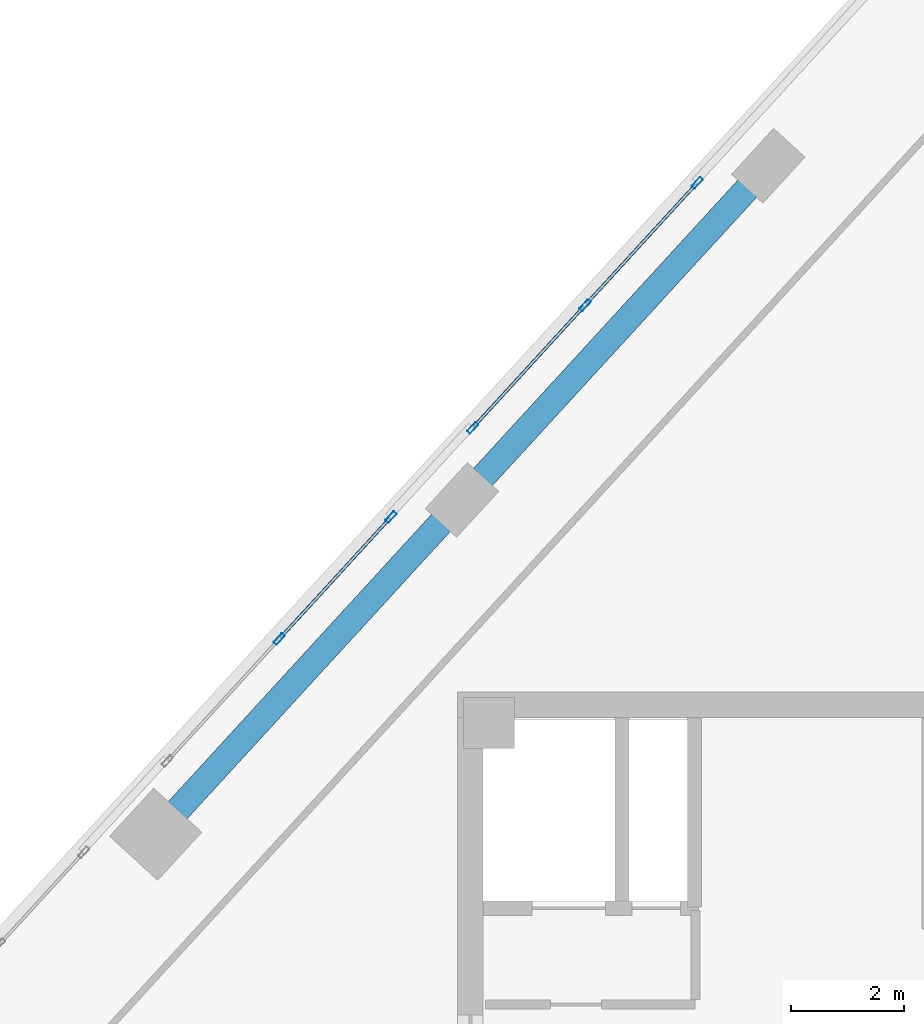
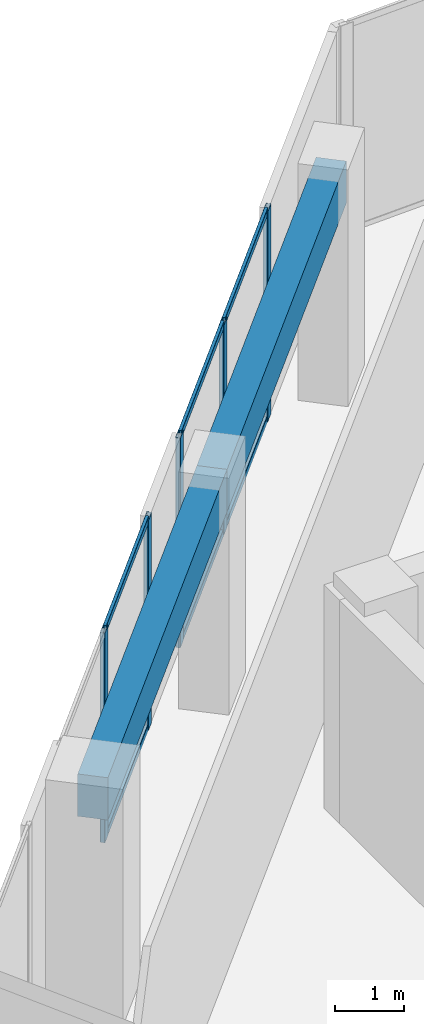
# One storey, part 10 of 18: 11 members, 2 beams, 2 elements without a shape of their own.
"""IFC4 building model written with IfcOpenShell, lengths in metres."""

from ifc_helpers import new_model, si_unit, direction, frame, origin, origin_2d, place, context, subcontext, project, spatial, rectangle, hollow_rectangle, extrude, source, transform, mapped, material, material_profile, profile_set, type_object, element, aggregate, save


model = new_model("IFC4")

# Units and contexts
model_context = context("Model", 3, precision=1e-05, world=origin(), true_north=direction((0.0, 1.0)))
body_context = subcontext(model_context, "Body", "Model", "MODEL_VIEW")
ifc_project = project(units=[si_unit("LENGTHUNIT", "METRE"), si_unit("AREAUNIT", "SQUARE_METRE"), si_unit("VOLUMEUNIT", "CUBIC_METRE"), si_unit("PLANEANGLEUNIT", "RADIAN"), si_unit("MASSUNIT", "GRAM", prefix="KILO")], contexts=[model_context])

# Site, building, storey
site_placement = place(None, origin())
site = spatial("IfcSite", under=ifc_project, at=site_placement, CompositionType="ELEMENT")
building_placement = place(site_placement, origin())
building = spatial("IfcBuilding", under=site, at=building_placement, Name="Torre Montelarca", CompositionType="ELEMENT")
storey_placement = place(building_placement, frame((0.0, 0.0, 233.199951171875)))
storey = spatial("IfcBuildingStorey", under=building, at=storey_placement, Name="L52", CompositionType="ELEMENT", Elevation=233.199951171875)

# Beams
ifc_material_1 = material(Name="Concrete C55/67", Category="concrete")
ifc_material_profile_1 = material_profile(ifc_material_1, rectangle(XDim=0.449951171875, YDim=0.75, at=origin_2d()), Name="RCB450X750", Category="concrete")
ifc_profile_set_1 = profile_set([ifc_material_profile_1], Name="Concrete C55/67")
beam_type = type_object("IfcBeamType", Name="BM-SP-RC750-EXT", PredefinedType="SPANDREL", material=ifc_profile_set_1)
shared_shape_1 = source(origin(), body_context, "Body", "SweptSolid", [
    extrude(rectangle(XDim=0.449951171875, YDim=0.75, at=origin_2d()), origin(), (0.0, 0.0, 1.0), 8.0),
])
for number, where, z_axis, x_axis, name in (
    (1, (3.672119140625, 37.485595703125, 3.5849609375), (0.675596099327, 0.737271938008, 0.0), (-0.737271938008, 0.675596099327, 0.0), "L52 Grid Girder Y 24.0-32.0 at X=4.7"),
    (2, (9.076904296875, 43.3837890625, 3.5849609375), (0.675596099327, 0.737271938008, 0.0), (-0.737271938008, 0.675596099327, 0.0), "L52 Grid Girder Y 32.0-40.0 at X=4.7"),
):
    element("IfcBeam", number, at=place(storey_placement, frame(where, z_axis=z_axis, x_axis=x_axis)), inside=storey, type_object=beam_type, Name=name, PredefinedType="SPANDREL", context=body_context, shape_type="MappedRepresentation", body=[
        mapped(shared_shape_1, transform((0.0, 0.0, 0.0), scale=1.0)),
    ])

# Curtain wall, members
ifc_material_2 = material(Name="Insulated low-E laminated glass", Category="glass")
curtain_wall_type = type_object("IfcCurtainWallType", Name="CW-SYS-Z3", PredefinedType="USERDEFINED", material=ifc_material_2)
curtain_wall_1_placement = place(storey_placement, origin())
curtain_wall_1 = element("IfcCurtainWall", 3, at=curtain_wall_1_placement, inside=storey, type_object=curtain_wall_type, Name="L52 Curtain Wall Run CW-T3-L52-E10-B1", ObjectType="UNITISED GLAZING", PredefinedType="USERDEFINED")
ifc_material_3 = material(Name="Anodised aluminium AA 6063-T6", Category="aluminium")
ifc_material_profile_2 = material_profile(ifc_material_3, hollow_rectangle(XDim=0.074951171875, YDim=0.219970703125, WallThickness=0.0048828125, InnerFilletRadius=0.0048828125, OuterFilletRadius=0.010009765625, at=origin_2d()), Name="ALU75X220X5", Category="aluminium")
ifc_profile_set_2 = profile_set([ifc_material_profile_2], Name="Anodised aluminium AA 6063-T6")
member_type_1 = type_object("IfcMemberType", Name="CWM-ALU220", PredefinedType="MULLION", material=ifc_profile_set_2)
shared_shape_2 = source(origin(), body_context, "Body", "SweptSolid", [
    extrude(hollow_rectangle(XDim=0.074951171875, YDim=0.219970703125, WallThickness=0.0048828125, InnerFilletRadius=0.0048828125, OuterFilletRadius=0.010009765625, at=origin_2d()), origin(), (0.0, 0.0, 1.0), 3.719970703125),
])
member_1_placement = place(storey_placement, frame((13.2294921875, 48.981201171875, 0.0), z_axis=(0.0, 0.0, 1.0), x_axis=(0.737275722052, -0.675591969811, 0.0)))
member_1 = element("IfcMember", 4, at=member_1_placement, type_object=member_type_1, Name="CW mullion 1", PredefinedType="MULLION", context=body_context, shape_type="MappedRepresentation", body=[
    mapped(shared_shape_2, transform((0.0, 0.0, 0.0), scale=1.0)),
])
member_2_placement = place(storey_placement, frame((11.248291015625, 46.819091796875, 0.0), z_axis=(0.0, 0.0, 1.0), x_axis=(0.737275722052, -0.675591969811, 0.0)))
member_2 = element("IfcMember", 5, at=member_2_placement, type_object=member_type_1, Name="CW mullion 2", PredefinedType="MULLION", context=body_context, shape_type="MappedRepresentation", body=[
    mapped(shared_shape_2, transform((0.0, 0.0, 0.0), scale=1.0)),
])
member_3_placement = place(storey_placement, frame((9.267333984375, 44.6572265625, 0.0), z_axis=(0.0, 0.0, 1.0), x_axis=(0.737275722052, -0.675591969811, 0.0)))
member_3 = element("IfcMember", 6, at=member_3_placement, type_object=member_type_1, Name="CW mullion 3", PredefinedType="MULLION", context=body_context, shape_type="MappedRepresentation", body=[
    mapped(shared_shape_2, transform((0.0, 0.0, 0.0), scale=1.0)),
])

curtain_wall_2_placement = place(storey_placement, origin())
curtain_wall_2 = element("IfcCurtainWall", 7, at=curtain_wall_2_placement, inside=storey, type_object=curtain_wall_type, Name="L52 Curtain Wall Run CW-T3-L52-E10-B2", ObjectType="UNITISED GLAZING", PredefinedType="USERDEFINED")
member_4_placement = place(storey_placement, frame((7.824951171875, 43.0830078125, 0.0), z_axis=(0.0, 0.0, 1.0), x_axis=(0.737271325578, -0.675596767666, 0.0)))
member_4 = element("IfcMember", 8, at=member_4_placement, type_object=member_type_1, Name="CW mullion 1", PredefinedType="MULLION", context=body_context, shape_type="MappedRepresentation", body=[
    mapped(shared_shape_2, transform((0.0, 0.0, 0.0), scale=1.0)),
])
member_5_placement = place(storey_placement, frame((5.85205078125, 40.93017578125, 0.0), z_axis=(0.0, 0.0, 1.0), x_axis=(0.737271325578, -0.675596767666, 0.0)))
member_5 = element("IfcMember", 9, at=member_5_placement, type_object=member_type_1, Name="CW mullion 2", PredefinedType="MULLION", context=body_context, shape_type="MappedRepresentation", body=[
    mapped(shared_shape_2, transform((0.0, 0.0, 0.0), scale=1.0)),
])

# Member
ifc_material_profile_3 = material_profile(ifc_material_3, hollow_rectangle(XDim=0.054931640625, YDim=0.1201171875, WallThickness=0.00341796875, InnerFilletRadius=0.00341796875, OuterFilletRadius=0.007080078125, at=origin_2d()), Name="ALU55X120X3.5", Category="aluminium")
ifc_profile_set_3 = profile_set([ifc_material_profile_3], Name="Anodised aluminium AA 6063-T6")
member_type_2 = type_object("IfcMemberType", Name="CWT-ALU120", PredefinedType="USERDEFINED", material=ifc_profile_set_3)
shared_shape_3 = source(origin(), body_context, "Body", "SweptSolid", [
    extrude(hollow_rectangle(XDim=0.054931640625, YDim=0.1201171875, WallThickness=0.00341796875, InnerFilletRadius=0.00341796875, OuterFilletRadius=0.007080078125, at=origin_2d()), origin(), (0.0, 0.0, 1.0), 2.857666015625),
])
member_6_placement = place(storey_placement, frame((13.204345703125, 48.95361328125, 0.027587890625), z_axis=(-0.675635640173, -0.737235702966, 0.0), x_axis=(0.737235702966, -0.675635640173, 0.0)))
member_6 = element("IfcMember", 10, at=member_6_placement, type_object=member_type_2, Name="CW transom 1.1", ObjectType="TRANSOM", PredefinedType="USERDEFINED", context=body_context, shape_type="MappedRepresentation", body=[
    mapped(shared_shape_3, transform((0.0, 0.0, 0.0), scale=1.0)),
])

member_7_placement = place(storey_placement, frame((13.204345703125, 48.95361328125, 3.692626953125), z_axis=(-0.675635640173, -0.737235702966, 0.0), x_axis=(0.737235702966, -0.675635640173, 0.0)))
member_7 = element("IfcMember", 11, at=member_7_placement, type_object=member_type_2, Name="CW transom 1.2", ObjectType="TRANSOM", PredefinedType="USERDEFINED", context=body_context, shape_type="MappedRepresentation", body=[
    mapped(shared_shape_3, transform((0.0, 0.0, 0.0), scale=1.0)),
])

member_8_placement = place(storey_placement, frame((11.22314453125, 46.79150390625, 0.027587890625), z_axis=(-0.675635640173, -0.737235702966, 0.0), x_axis=(0.737235702966, -0.675635640173, 0.0)))
member_8 = element("IfcMember", 12, at=member_8_placement, type_object=member_type_2, Name="CW transom 2.1", ObjectType="TRANSOM", PredefinedType="USERDEFINED", context=body_context, shape_type="MappedRepresentation", body=[
    mapped(shared_shape_3, transform((0.0, 0.0, 0.0), scale=1.0)),
])

member_9_placement = place(storey_placement, frame((11.22314453125, 46.79150390625, 3.692626953125), z_axis=(-0.675635640173, -0.737235702966, 0.0), x_axis=(0.737235702966, -0.675635640173, 0.0)))
member_9 = element("IfcMember", 13, at=member_9_placement, type_object=member_type_2, Name="CW transom 2.2", ObjectType="TRANSOM", PredefinedType="USERDEFINED", context=body_context, shape_type="MappedRepresentation", body=[
    mapped(shared_shape_3, transform((0.0, 0.0, 0.0), scale=1.0)),
])

aggregate(curtain_wall_1, [member_1, member_2, member_3, member_6, member_7, member_8, member_9])

shared_shape_4 = source(origin(), body_context, "Body", "SweptSolid", [
    extrude(hollow_rectangle(XDim=0.054931640625, YDim=0.1201171875, WallThickness=0.00341796875, InnerFilletRadius=0.00341796875, OuterFilletRadius=0.007080078125, at=origin_2d()), origin(), (0.0, 0.0, 1.0), 2.844970703125),
])
member_10_placement = place(storey_placement, frame((7.799560546875, 43.055419921875, 0.027587890625), z_axis=(-0.675627472733, -0.737243187889, 0.0), x_axis=(0.737243187889, -0.675627472733, 0.0)))
member_10 = element("IfcMember", 14, at=member_10_placement, type_object=member_type_2, Name="CW transom 1.1", ObjectType="TRANSOM", PredefinedType="USERDEFINED", context=body_context, shape_type="MappedRepresentation", body=[
    mapped(shared_shape_4, transform((0.0, 0.0, 0.0), scale=1.0)),
])

member_11_placement = place(storey_placement, frame((7.799560546875, 43.055419921875, 3.692626953125), z_axis=(-0.675627472733, -0.737243187889, 0.0), x_axis=(0.737243187889, -0.675627472733, 0.0)))
member_11 = element("IfcMember", 15, at=member_11_placement, type_object=member_type_2, Name="CW transom 1.2", ObjectType="TRANSOM", PredefinedType="USERDEFINED", context=body_context, shape_type="MappedRepresentation", body=[
    mapped(shared_shape_4, transform((0.0, 0.0, 0.0), scale=1.0)),
])

aggregate(curtain_wall_2, [member_4, member_5, member_10, member_11])

save(model, "model.ifc")
